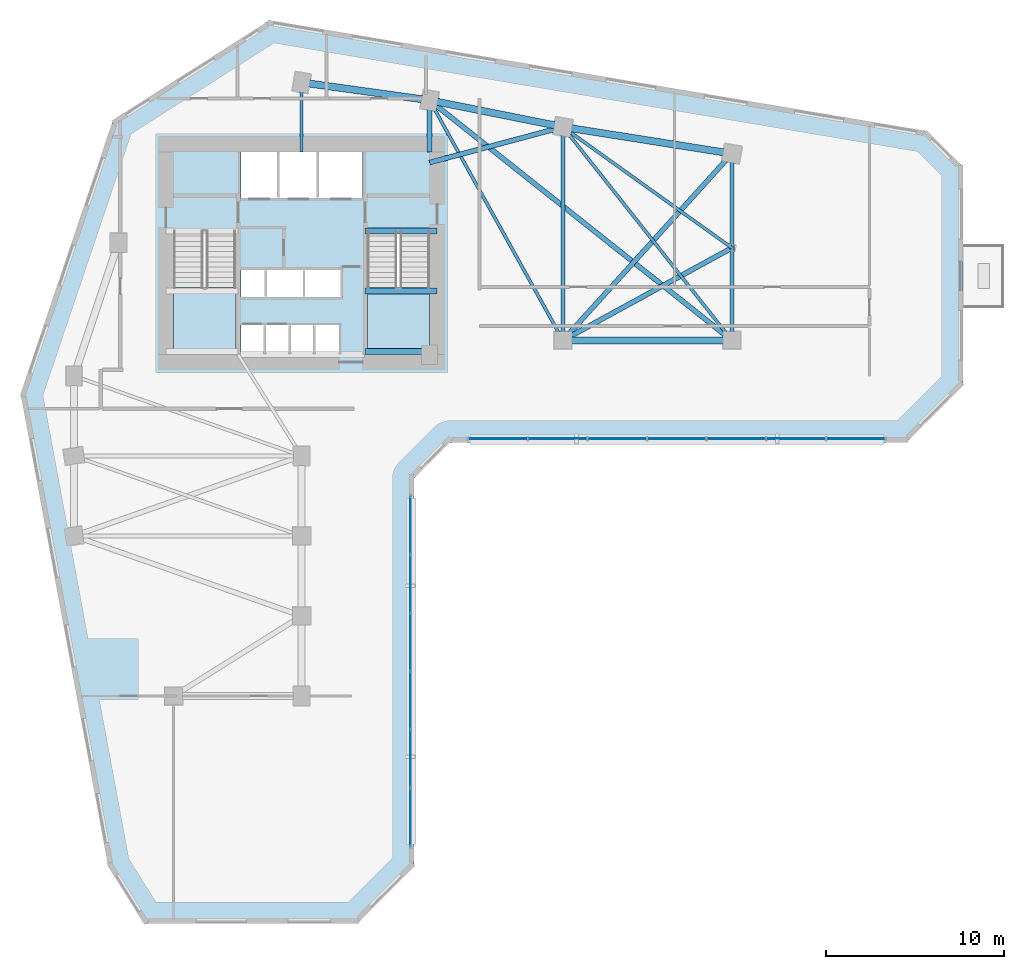
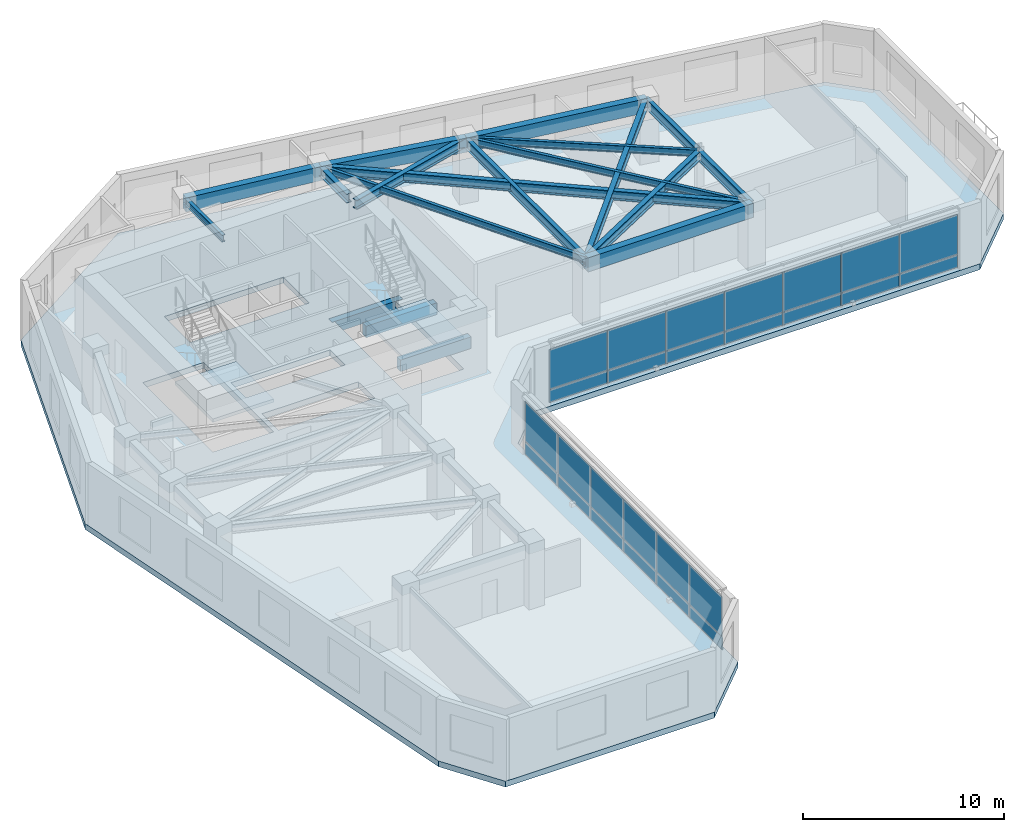
# One storey, part 4 of 11: 26 plates, 18 beams, 3 slabs, 4 elements without a shape of their own.
"""IFC4 building model written with IfcOpenShell, lengths in metres."""

from ifc_helpers import new_model, si_unit, direction, frame, frame_2d, origin, origin_2d, place, context, subcontext, project, spatial, polyline, rectangle, i_section, outline, extrude, source, transform, mapped, material, layer, layer_set, material_profile, profile_set, type_object, element, aggregate, save


model = new_model("IFC4")

# Units and contexts
model_context = context("Model", 3, precision=1e-05, world=origin(), true_north=direction((0.0, 1.0)))
body_context = subcontext(model_context, "Body", "Model", "MODEL_VIEW")
ifc_project = project(units=[si_unit("LENGTHUNIT", "METRE"), si_unit("AREAUNIT", "SQUARE_METRE"), si_unit("VOLUMEUNIT", "CUBIC_METRE"), si_unit("PLANEANGLEUNIT", "RADIAN"), si_unit("MASSUNIT", "GRAM", prefix="KILO")], contexts=[model_context])

# Site, building, storey
site_placement = place(None, origin())
site = spatial("IfcSite", under=ifc_project, at=site_placement, CompositionType="ELEMENT")
building_placement = place(site_placement, origin())
building = spatial("IfcBuilding", under=site, at=building_placement, Name="Calvemar Wedge Station Tower", CompositionType="ELEMENT")
storey_placement = place(building_placement, frame((0.0, 0.0, 27.0)))
storey = spatial("IfcBuildingStorey", under=building, at=storey_placement, Name="L06", CompositionType="ELEMENT", Elevation=27.0)

# Beams
ifc_material_1 = material(Name="Concrete C70", Category="concrete")
ifc_material_profile_1 = material_profile(ifc_material_1, rectangle(XDim=0.35009765625, YDim=0.699951171875, at=origin_2d()), Name="RC350x700")
ifc_profile_set_1 = profile_set([ifc_material_profile_1], Name="Concrete C70")
beam_type_1 = type_object("IfcBeamType", Name="BM-LN1-700", PredefinedType="LINTEL", material=ifc_profile_set_1)
shared_shape_1 = source(origin(), body_context, "Body", "SweptSolid", [
    extrude(rectangle(XDim=0.35009765625, YDim=0.699951171875, at=origin_2d()), origin(), (0.0, 0.0, 1.0), 4.054931640625),
])
for number, where, z_axis, x_axis, name in (
    (1, (27.3701171875, 41.14990234375, -0.35009765625), (1.0, 0.0, 0.0), (0.0, 1.0, 0.0), "Storey L06 Stair ST-C2 Landing Trimmer Beam"),
    (2, (27.3701171875, 34.3798828125, 1.449951171875), (1.0, 0.0, 0.0), (0.0, 1.0, 0.0), "Storey L06 Stair ST-C2 Half-Landing Beam 1A"),
    (3, (27.3701171875, 37.780029296875, 1.449951171875), (1.0, 0.0, 0.0), (0.0, 1.0, 0.0), "Storey L06 Stair ST-C2 Half-Landing Beam 1B"),
):
    element("IfcBeam", number, at=place(storey_placement, frame(where, z_axis=z_axis, x_axis=x_axis)), inside=storey, type_object=beam_type_1, Name=name, PredefinedType="LINTEL", context=body_context, shape_type="MappedRepresentation", body=[
        mapped(shared_shape_1, transform((0.0, 0.0, 0.0), scale=1.0)),
    ])
ifc_material_2 = material(Name="Concrete C60", Category="concrete")
ifc_material_profile_2 = material_profile(ifc_material_2, rectangle(XDim=0.39990234375, YDim=0.85009765625, at=origin_2d()), Name="RC400x850")
ifc_profile_set_2 = profile_set([ifc_material_profile_2], Name="Concrete C60")
beam_type_2 = type_object("IfcBeamType", Name="BM-SP1-850", PredefinedType="SPANDREL", material=ifc_profile_set_2)
shared_shape_2 = source(origin(), body_context, "Body", "SweptSolid", [
    extrude(rectangle(XDim=0.39990234375, YDim=0.85009765625, at=origin_2d()), origin(), (0.0, 0.0, 1.0), 7.26904296875),
])
beam_1_placement = place(storey_placement, frame((23.800048828125, 49.5, 3.324951171875), z_axis=(0.990492146053, -0.13756928657, 0.0), x_axis=(0.13756928657, 0.990492146053, 0.0)))
element("IfcBeam", 4, at=beam_1_placement, inside=storey, type_object=beam_type_2, Name="Storey L06 Spandrel T-N1-T-N2", PredefinedType="SPANDREL", context=body_context, shape_type="MappedRepresentation", body=[
    mapped(shared_shape_2, transform((0.0, 0.0, 0.0), scale=1.0)),
])
shared_shape_3 = source(origin(), body_context, "Body", "SweptSolid", [
    extrude(rectangle(XDim=0.39990234375, YDim=0.85009765625, at=origin_2d()), origin(), (0.0, 0.0, 1.0), 7.6484375),
])
beam_2_placement = place(storey_placement, frame((31.0, 48.5, 3.324951171875), z_axis=(0.980580675691, -0.196116135138, 0.0), x_axis=(0.196116135138, 0.980580675691, 0.0)))
element("IfcBeam", 5, at=beam_2_placement, inside=storey, type_object=beam_type_2, Name="Storey L06 Spandrel T-N2-T-NU3", PredefinedType="SPANDREL", context=body_context, shape_type="MappedRepresentation", body=[
    mapped(shared_shape_3, transform((0.0, 0.0, 0.0), scale=1.0)),
])
shared_shape_4 = source(origin(), body_context, "Body", "SweptSolid", [
    extrude(rectangle(XDim=0.39990234375, YDim=0.85009765625, at=origin_2d()), origin(), (0.0, 0.0, 1.0), 9.61767578125),
])
beam_3_placement = place(storey_placement, frame((38.5, 47.0, 3.324951171875), z_axis=(0.987762965329, -0.155962573473, 0.0), x_axis=(0.155962573473, 0.987762965329, 0.0)))
element("IfcBeam", 6, at=beam_3_placement, inside=storey, type_object=beam_type_2, Name="Storey L06 Spandrel T-NU3-T-NU4", PredefinedType="SPANDREL", context=body_context, shape_type="MappedRepresentation", body=[
    mapped(shared_shape_4, transform((0.0, 0.0, 0.0), scale=1.0)),
])
shared_shape_5 = source(origin(), body_context, "Body", "SweptSolid", [
    extrude(rectangle(XDim=0.39990234375, YDim=0.85009765625, at=origin_2d()), origin(), (0.0, 0.0, 1.0), 9.5),
])
beam_4_placement = place(storey_placement, frame((38.5, 35.0, 3.324951171875), z_axis=(1.0, 0.0, 0.0), x_axis=(0.0, 1.0, 0.0)))
element("IfcBeam", 7, at=beam_4_placement, inside=storey, type_object=beam_type_2, Name="Storey L06 Spandrel T-NL2-T-NL3", PredefinedType="SPANDREL", context=body_context, shape_type="MappedRepresentation", body=[
    mapped(shared_shape_5, transform((0.0, 0.0, 0.0), scale=1.0)),
])
ifc_material_3 = material(Name="Structural steel ASTM A572 Grade 50", Category="steel")
ifc_material_profile_3 = material_profile(ifc_material_3, i_section(OverallWidth=0.22998046875, OverallDepth=0.616943359375, WebThickness=0.01318359375, FlangeThickness=0.022216796875, FilletRadius=0.012939453125, at=origin_2d()), Name="W610x140")
ifc_profile_set_3 = profile_set([ifc_material_profile_3], Name="Structural steel ASTM A572 Grade 50")
beam_type_3 = type_object("IfcBeamType", Name="BM-SB2-W610", PredefinedType="BEAM", material=ifc_profile_set_3)
shared_shape_6 = source(origin(), body_context, "Body", "SweptSolid", [
    extrude(i_section(OverallWidth=0.22998046875, OverallDepth=0.616943359375, WebThickness=0.01318359375, FlangeThickness=0.022216796875, FilletRadius=0.012939453125, at=origin_2d()), origin(), (0.0, 0.0, 1.0), 12.0),
])
beam_5_placement = place(storey_placement, frame((38.5, 47.0, 3.44140625), z_axis=(0.0, -1.0, 0.0), x_axis=(1.0, 0.0, 0.0)))
element("IfcBeam", 8, at=beam_5_placement, inside=storey, type_object=beam_type_3, Name="Storey L06 Floor Beam T-NU3-T-NL2", PredefinedType="BEAM", context=body_context, shape_type="MappedRepresentation", body=[
    mapped(shared_shape_6, transform((0.0, 0.0, 0.0), scale=1.0)),
])
shared_shape_7 = source(origin(), body_context, "Body", "SweptSolid", [
    extrude(i_section(OverallWidth=0.22998046875, OverallDepth=0.616943359375, WebThickness=0.01318359375, FlangeThickness=0.022216796875, FilletRadius=0.012939453125, at=origin_2d()), origin(), (0.0, 0.0, 1.0), 10.5),
])
beam_6_placement = place(storey_placement, frame((48.0, 45.5, 3.44140625), z_axis=(0.0, -1.0, 0.0), x_axis=(1.0, 0.0, 0.0)))
element("IfcBeam", 9, at=beam_6_placement, inside=storey, type_object=beam_type_3, Name="Storey L06 Floor Beam T-NU4-T-NL3", PredefinedType="BEAM", context=body_context, shape_type="MappedRepresentation", body=[
    mapped(shared_shape_7, transform((0.0, 0.0, 0.0), scale=1.0)),
])
ifc_material_profile_4 = material_profile(ifc_material_3, i_section(OverallWidth=0.177978515625, OverallDepth=0.406982421875, WebThickness=0.0078125, FlangeThickness=0.0126953125, FilletRadius=0.010009765625, at=origin_2d()), Name="W410x60")
ifc_profile_set_4 = profile_set([ifc_material_profile_4], Name="Structural steel ASTM A572 Grade 50")
beam_type_4 = type_object("IfcBeamType", Name="BM-J3-W410", PredefinedType="JOIST", material=ifc_profile_set_4)
shared_shape_8 = source(origin(), body_context, "Body", "SweptSolid", [
    extrude(i_section(OverallWidth=0.177978515625, OverallDepth=0.406982421875, WebThickness=0.0078125, FlangeThickness=0.0126953125, FilletRadius=0.010009765625, at=origin_2d()), origin(), (0.0, 0.0, 1.0), 15.443359375),
])
beam_7_placement = place(storey_placement, frame((31.0, 48.5, 3.54638671875), z_axis=(0.485642931179, -0.874157276122, 0.0), x_axis=(0.874157276122, 0.485642931179, 0.0)))
element("IfcBeam", 10, at=beam_7_placement, inside=storey, type_object=beam_type_4, Name="Storey L06 Floor Beam T-N2-T-NL2", PredefinedType="JOIST", context=body_context, shape_type="MappedRepresentation", body=[
    mapped(shared_shape_8, transform((0.0, 0.0, 0.0), scale=1.0)),
])
ifc_material_profile_5 = material_profile(ifc_material_3, i_section(OverallWidth=0.279052734375, OverallDepth=0.553955078125, WebThickness=0.017578125, FlangeThickness=0.029541015625, FilletRadius=0.014892578125, at=origin_2d()), Name="W530x196")
ifc_profile_set_5 = profile_set([ifc_material_profile_5], Name="Structural steel ASTM A572 Grade 50")
beam_type_5 = type_object("IfcBeamType", Name="BM-SB3-W530H", PredefinedType="BEAM", material=ifc_profile_set_5)
shared_shape_9 = source(origin(), body_context, "Body", "SweptSolid", [
    extrude(i_section(OverallWidth=0.279052734375, OverallDepth=0.553955078125, WebThickness=0.017578125, FlangeThickness=0.029541015625, FilletRadius=0.014892578125, at=origin_2d()), origin(), (0.0, 0.0, 1.0), 21.708251953125),
])
beam_8_placement = place(storey_placement, frame((31.0, 48.5, 3.472900390625), z_axis=(0.783110847498, -0.621882143602, 0.0), x_axis=(0.621882143602, 0.783110847498, 0.0)))
element("IfcBeam", 11, at=beam_8_placement, inside=storey, type_object=beam_type_5, Name="Storey L06 Floor Beam T-N2-T-NL3", PredefinedType="BEAM", context=body_context, shape_type="MappedRepresentation", body=[
    mapped(shared_shape_9, transform((0.0, 0.0, 0.0), scale=1.0)),
])
shared_shape_10 = source(origin(), body_context, "Body", "SweptSolid", [
    extrude(i_section(OverallWidth=0.177978515625, OverallDepth=0.406982421875, WebThickness=0.0078125, FlangeThickness=0.0126953125, FilletRadius=0.010009765625, at=origin_2d()), origin(), (0.0, 0.0, 1.0), 15.30517578125),
])
beam_9_placement = place(storey_placement, frame((38.5, 47.0, 3.54638671875), z_axis=(0.620702944366, -0.784045824462, 0.0), x_axis=(0.784045824462, 0.620702944366, 0.0)))
element("IfcBeam", 12, at=beam_9_placement, inside=storey, type_object=beam_type_4, Name="Storey L06 Floor Beam T-NU3-T-NL3", PredefinedType="JOIST", context=body_context, shape_type="MappedRepresentation", body=[
    mapped(shared_shape_10, transform((0.0, 0.0, 0.0), scale=1.0)),
])
shared_shape_11 = source(origin(), body_context, "Body", "SweptSolid", [
    extrude(i_section(OverallWidth=0.279052734375, OverallDepth=0.553955078125, WebThickness=0.017578125, FlangeThickness=0.029541015625, FilletRadius=0.014892578125, at=origin_2d()), origin(), (0.0, 0.0, 1.0), 14.159912109375),
])
beam_10_placement = place(storey_placement, frame((38.5, 35.0, 3.472900390625), z_axis=(0.670913323969, 0.741535779124, 0.0), x_axis=(-0.741535779124, 0.670913323969, 0.0)))
element("IfcBeam", 13, at=beam_10_placement, inside=storey, type_object=beam_type_5, Name="Storey L06 Floor Beam T-NL2-T-NU4", PredefinedType="BEAM", context=body_context, shape_type="MappedRepresentation", body=[
    mapped(shared_shape_11, transform((0.0, 0.0, 0.0), scale=1.0)),
])
shared_shape_12 = source(origin(), body_context, "Body", "SweptSolid", [
    extrude(i_section(OverallWidth=0.177978515625, OverallDepth=0.406982421875, WebThickness=0.0078125, FlangeThickness=0.0126953125, FilletRadius=0.010009765625, at=origin_2d()), origin(), (0.0, 0.0, 1.0), 11.682861328125),
])
beam_11_placement = place(storey_placement, frame((48.0, 40.199951171875, 3.54638671875), z_axis=(-0.81315274409, 0.582050354161, 0.0), x_axis=(-0.582050354161, -0.81315274409, 0.0)))
element("IfcBeam", 14, at=beam_11_placement, inside=storey, type_object=beam_type_4, Name="Storey L06 Floor Beam T-NTIP-A-T-NU3", PredefinedType="JOIST", context=body_context, shape_type="MappedRepresentation", body=[
    mapped(shared_shape_12, transform((0.0, 0.0, 0.0), scale=1.0)),
])
shared_shape_13 = source(origin(), body_context, "Body", "SweptSolid", [
    extrude(i_section(OverallWidth=0.279052734375, OverallDepth=0.553955078125, WebThickness=0.017578125, FlangeThickness=0.029541015625, FilletRadius=0.014892578125, at=origin_2d()), origin(), (0.0, 0.0, 1.0), 10.830078125),
])
beam_12_placement = place(storey_placement, frame((48.0, 40.199951171875, 3.472900390625), z_axis=(-0.877190767997, -0.480142017053, 0.0), x_axis=(0.480142017053, -0.877190767997, 0.0)))
element("IfcBeam", 15, at=beam_12_placement, inside=storey, type_object=beam_type_5, Name="Storey L06 Floor Beam T-NTIP-A-T-NL2", PredefinedType="BEAM", context=body_context, shape_type="MappedRepresentation", body=[
    mapped(shared_shape_13, transform((0.0, 0.0, 0.0), scale=1.0)),
])
shared_shape_14 = source(origin(), body_context, "Body", "SweptSolid", [
    extrude(i_section(OverallWidth=0.279052734375, OverallDepth=0.553955078125, WebThickness=0.017578125, FlangeThickness=0.029541015625, FilletRadius=0.014892578125, at=origin_2d()), origin(), (0.0, 0.0, 1.0), 7.76220703125),
])
beam_13_placement = place(storey_placement, frame((31.0, 45.0, 3.472900390625), z_axis=(0.966234939601, 0.25766265056, 0.0), x_axis=(-0.25766265056, 0.966234939601, 0.0)))
element("IfcBeam", 16, at=beam_13_placement, inside=storey, type_object=beam_type_5, Name="Storey L06 Core-to-Column Joist CJ-E2", PredefinedType="BEAM", context=body_context, shape_type="MappedRepresentation", body=[
    mapped(shared_shape_14, transform((0.0, 0.0, 0.0), scale=1.0)),
])
shared_shape_15 = source(origin(), body_context, "Body", "SweptSolid", [
    extrude(i_section(OverallWidth=0.177978515625, OverallDepth=0.406982421875, WebThickness=0.0078125, FlangeThickness=0.0126953125, FilletRadius=0.010009765625, at=origin_2d()), origin(), (0.0, 0.0, 1.0), 3.89990234375),
])
beam_14_placement = place(storey_placement, frame((23.800048828125, 45.60009765625, 3.54638671875), z_axis=(0.0, 1.0, 0.0), x_axis=(-1.0, 0.0, 0.0)))
element("IfcBeam", 17, at=beam_14_placement, inside=storey, type_object=beam_type_4, Name="Storey L06 Core-to-Column Joist CJ-N1", PredefinedType="JOIST", context=body_context, shape_type="MappedRepresentation", body=[
    mapped(shared_shape_15, transform((0.0, 0.0, 0.0), scale=1.0)),
])
shared_shape_16 = source(origin(), body_context, "Body", "SweptSolid", [
    extrude(i_section(OverallWidth=0.279052734375, OverallDepth=0.553955078125, WebThickness=0.017578125, FlangeThickness=0.029541015625, FilletRadius=0.014892578125, at=origin_2d()), origin(), (0.0, 0.0, 1.0), 2.89990234375),
])
beam_15_placement = place(storey_placement, frame((31.0, 45.60009765625, 3.472900390625), z_axis=(0.0, 1.0, 0.0), x_axis=(-1.0, 0.0, 0.0)))
element("IfcBeam", 18, at=beam_15_placement, inside=storey, type_object=beam_type_5, Name="Storey L06 Core-to-Column Joist CJ-N2", PredefinedType="BEAM", context=body_context, shape_type="MappedRepresentation", body=[
    mapped(shared_shape_16, transform((0.0, 0.0, 0.0), scale=1.0)),
])

# Curtain wall, plates
ifc_material_4 = material(Name="Anodised aluminium 6063-T6", Category="aluminium")
curtain_wall_type = type_object("IfcCurtainWallType", Name="CW1", PredefinedType="NOTDEFINED", material=ifc_material_4)
curtain_wall_1_placement = place(storey_placement, origin())
curtain_wall_1 = element("IfcCurtainWall", 19, at=curtain_wall_1_placement, inside=storey, type_object=curtain_wall_type, Name="Storey L06 CW1 Recessed Unitised Curtain Wall 4", PredefinedType="NOTDEFINED")
ifc_material_5 = material(Name="Low-E laminated insulated glass", Category="glass")
ifc_layer_1 = layer(ifc_material_5, 0.028076171875)
ifc_layer_set_1 = layer_set([ifc_layer_1], Name="Low-E laminated insulated glass")
plate_type_1 = type_object("IfcPlateType", Name="CW1-GLZ", PredefinedType="CURTAIN_PANEL", material=ifc_layer_set_1)
plate_1_placement = place(storey_placement, frame((29.91796875, 6.580078125, 0.8701171875), z_axis=(0.0, 0.0, 1.0), x_axis=(0.0, 1.0, 0.0)))
plate_1 = element("IfcPlate", 20, at=plate_1_placement, type_object=plate_type_1, Name="CW1 vision glass panel 1", PredefinedType="CURTAIN_PANEL", context=body_context, shape_type="SweptSolid", body=[
    extrude(rectangle(XDim=3.24072265625, YDim=0.028076171875, at=frame_2d((1.620361328125, 0.0))), origin(), (0.0, 0.0, 1.0), 2.409912109375),
])
plate_2_placement = place(storey_placement, frame((29.91796875, 9.856689453125, 0.8701171875), z_axis=(0.0, 0.0, 1.0), x_axis=(0.0, 1.0, 0.0)))
plate_2 = element("IfcPlate", 21, at=plate_2_placement, type_object=plate_type_1, Name="CW1 vision glass panel 2", PredefinedType="CURTAIN_PANEL", context=body_context, shape_type="SweptSolid", body=[
    extrude(rectangle(XDim=3.24072265625, YDim=0.028076171875, at=frame_2d((1.620361328125, 0.0))), origin(), (0.0, 0.0, 1.0), 2.409912109375),
])
plate_3_placement = place(storey_placement, frame((29.91796875, 13.13330078125, 0.8701171875), z_axis=(0.0, 0.0, 1.0), x_axis=(0.0, 1.0, 0.0)))
plate_3 = element("IfcPlate", 22, at=plate_3_placement, type_object=plate_type_1, Name="CW1 vision glass panel 3", PredefinedType="CURTAIN_PANEL", context=body_context, shape_type="SweptSolid", body=[
    extrude(rectangle(XDim=3.24072265625, YDim=0.028076171875, at=frame_2d((1.620361328125, 0.0))), origin(), (0.0, 0.0, 1.0), 2.409912109375),
])
plate_4_placement = place(storey_placement, frame((29.91796875, 16.41015625, 0.8701171875), z_axis=(0.0, 0.0, 1.0), x_axis=(0.0, 1.0, 0.0)))
plate_4 = element("IfcPlate", 23, at=plate_4_placement, type_object=plate_type_1, Name="CW1 vision glass panel 4", PredefinedType="CURTAIN_PANEL", context=body_context, shape_type="SweptSolid", body=[
    extrude(rectangle(XDim=3.24072265625, YDim=0.028076171875, at=frame_2d((1.620361328125, 0.0))), origin(), (0.0, 0.0, 1.0), 2.409912109375),
])
plate_5_placement = place(storey_placement, frame((29.91796875, 19.686767578125, 0.8701171875), z_axis=(0.0, 0.0, 1.0), x_axis=(0.0, 1.0, 0.0)))
plate_5 = element("IfcPlate", 24, at=plate_5_placement, type_object=plate_type_1, Name="CW1 vision glass panel 5", PredefinedType="CURTAIN_PANEL", context=body_context, shape_type="SweptSolid", body=[
    extrude(rectangle(XDim=3.24072265625, YDim=0.028076171875, at=frame_2d((1.620361328125, 0.0))), origin(), (0.0, 0.0, 1.0), 2.409912109375),
])
plate_6_placement = place(storey_placement, frame((29.91796875, 22.96337890625, 0.8701171875), z_axis=(0.0, 0.0, 1.0), x_axis=(0.0, 1.0, 0.0)))
plate_6 = element("IfcPlate", 25, at=plate_6_placement, type_object=plate_type_1, Name="CW1 vision glass panel 6", PredefinedType="CURTAIN_PANEL", context=body_context, shape_type="SweptSolid", body=[
    extrude(rectangle(XDim=3.24072265625, YDim=0.028076171875, at=frame_2d((1.620361328125, 0.0))), origin(), (0.0, 0.0, 1.0), 2.409912109375),
])

curtain_wall_2_placement = place(storey_placement, origin())
curtain_wall_2 = element("IfcCurtainWall", 26, at=curtain_wall_2_placement, inside=storey, type_object=curtain_wall_type, Name="Storey L06 CW1 Recessed Unitised Curtain Wall 6", PredefinedType="NOTDEFINED")
plate_7_placement = place(storey_placement, frame((33.183837890625, 29.469970703125, 0.8701171875), z_axis=(0.0, 0.0, 1.0), x_axis=(1.0, 0.0, 0.0)))
plate_7 = element("IfcPlate", 27, at=plate_7_placement, type_object=plate_type_1, Name="CW1 vision glass panel 1", PredefinedType="CURTAIN_PANEL", context=body_context, shape_type="SweptSolid", body=[
    extrude(rectangle(XDim=3.317138671875, YDim=0.028076171875, at=frame_2d((1.65869140625, 0.0))), origin(), (0.0, 0.0, 1.0), 2.409912109375),
])
plate_8_placement = place(storey_placement, frame((36.537109375, 29.469970703125, 0.8701171875), z_axis=(0.0, 0.0, 1.0), x_axis=(1.0, 0.0, 0.0)))
plate_8 = element("IfcPlate", 28, at=plate_8_placement, type_object=plate_type_1, Name="CW1 vision glass panel 2", PredefinedType="CURTAIN_PANEL", context=body_context, shape_type="SweptSolid", body=[
    extrude(rectangle(XDim=3.317138671875, YDim=0.028076171875, at=frame_2d((1.65869140625, 0.0))), origin(), (0.0, 0.0, 1.0), 2.409912109375),
])
plate_9_placement = place(storey_placement, frame((39.89013671875, 29.469970703125, 0.8701171875), z_axis=(0.0, 0.0, 1.0), x_axis=(1.0, 0.0, 0.0)))
plate_9 = element("IfcPlate", 29, at=plate_9_placement, type_object=plate_type_1, Name="CW1 vision glass panel 3", PredefinedType="CURTAIN_PANEL", context=body_context, shape_type="SweptSolid", body=[
    extrude(rectangle(XDim=3.317138671875, YDim=0.028076171875, at=frame_2d((1.65869140625, 0.0))), origin(), (0.0, 0.0, 1.0), 2.409912109375),
])
plate_10_placement = place(storey_placement, frame((43.243408203125, 29.469970703125, 0.8701171875), z_axis=(0.0, 0.0, 1.0), x_axis=(1.0, 0.0, 0.0)))
plate_10 = element("IfcPlate", 30, at=plate_10_placement, type_object=plate_type_1, Name="CW1 vision glass panel 4", PredefinedType="CURTAIN_PANEL", context=body_context, shape_type="SweptSolid", body=[
    extrude(rectangle(XDim=3.317138671875, YDim=0.028076171875, at=frame_2d((1.65869140625, 0.0))), origin(), (0.0, 0.0, 1.0), 2.409912109375),
])
plate_11_placement = place(storey_placement, frame((46.596435546875, 29.469970703125, 0.8701171875), z_axis=(0.0, 0.0, 1.0), x_axis=(1.0, 0.0, 0.0)))
plate_11 = element("IfcPlate", 31, at=plate_11_placement, type_object=plate_type_1, Name="CW1 vision glass panel 5", PredefinedType="CURTAIN_PANEL", context=body_context, shape_type="SweptSolid", body=[
    extrude(rectangle(XDim=3.317138671875, YDim=0.028076171875, at=frame_2d((1.65869140625, 0.0))), origin(), (0.0, 0.0, 1.0), 2.409912109375),
])
plate_12_placement = place(storey_placement, frame((49.94970703125, 29.469970703125, 0.8701171875), z_axis=(0.0, 0.0, 1.0), x_axis=(1.0, 0.0, 0.0)))
plate_12 = element("IfcPlate", 32, at=plate_12_placement, type_object=plate_type_1, Name="CW1 vision glass panel 6", PredefinedType="CURTAIN_PANEL", context=body_context, shape_type="SweptSolid", body=[
    extrude(rectangle(XDim=3.317138671875, YDim=0.028076171875, at=frame_2d((1.65869140625, 0.0))), origin(), (0.0, 0.0, 1.0), 2.409912109375),
])
plate_13_placement = place(storey_placement, frame((53.302734375, 29.469970703125, 0.8701171875), z_axis=(0.0, 0.0, 1.0), x_axis=(1.0, 0.0, 0.0)))
plate_13 = element("IfcPlate", 33, at=plate_13_placement, type_object=plate_type_1, Name="CW1 vision glass panel 7", PredefinedType="CURTAIN_PANEL", context=body_context, shape_type="SweptSolid", body=[
    extrude(rectangle(XDim=3.317138671875, YDim=0.028076171875, at=frame_2d((1.65869140625, 0.0))), origin(), (0.0, 0.0, 1.0), 2.409912109375),
])

# Plate
ifc_material_6 = material(Name="Oxidized bronze aluminium spandrel panel 5005-H24", Category="aluminium")
ifc_layer_2 = layer(ifc_material_6, 0.0400390625)
ifc_layer_set_2 = layer_set([ifc_layer_2], Name="Oxidized bronze aluminium spandrel panel 5005-H24")
plate_type_2 = type_object("IfcPlateType", Name="CW1-SPD", PredefinedType="SHEET", material=ifc_layer_set_2)
plate_14_placement = place(storey_placement, frame((29.91796875, 6.580078125, 0.080078125), z_axis=(0.0, 0.0, 1.0), x_axis=(0.0, 1.0, 0.0)))
plate_14 = element("IfcPlate", 34, at=plate_14_placement, type_object=plate_type_2, Name="CW1 bronze spandrel panel 1", PredefinedType="SHEET", context=body_context, shape_type="SweptSolid", body=[
    extrude(rectangle(XDim=3.24072265625, YDim=0.0400390625, at=frame_2d((1.620361328125, 0.0))), origin(), (0.0, 0.0, 1.0), 0.75),
])

plate_15_placement = place(storey_placement, frame((29.91796875, 9.856689453125, 0.080078125), z_axis=(0.0, 0.0, 1.0), x_axis=(0.0, 1.0, 0.0)))
plate_15 = element("IfcPlate", 35, at=plate_15_placement, type_object=plate_type_2, Name="CW1 bronze spandrel panel 2", PredefinedType="SHEET", context=body_context, shape_type="SweptSolid", body=[
    extrude(rectangle(XDim=3.24072265625, YDim=0.0400390625, at=frame_2d((1.620361328125, 0.0))), origin(), (0.0, 0.0, 1.0), 0.75),
])

plate_16_placement = place(storey_placement, frame((29.91796875, 13.13330078125, 0.080078125), z_axis=(0.0, 0.0, 1.0), x_axis=(0.0, 1.0, 0.0)))
plate_16 = element("IfcPlate", 36, at=plate_16_placement, type_object=plate_type_2, Name="CW1 bronze spandrel panel 3", PredefinedType="SHEET", context=body_context, shape_type="SweptSolid", body=[
    extrude(rectangle(XDim=3.24072265625, YDim=0.0400390625, at=frame_2d((1.620361328125, 0.0))), origin(), (0.0, 0.0, 1.0), 0.75),
])

plate_17_placement = place(storey_placement, frame((29.91796875, 16.41015625, 0.080078125), z_axis=(0.0, 0.0, 1.0), x_axis=(0.0, 1.0, 0.0)))
plate_17 = element("IfcPlate", 37, at=plate_17_placement, type_object=plate_type_2, Name="CW1 bronze spandrel panel 4", PredefinedType="SHEET", context=body_context, shape_type="SweptSolid", body=[
    extrude(rectangle(XDim=3.24072265625, YDim=0.0400390625, at=frame_2d((1.620361328125, 0.0))), origin(), (0.0, 0.0, 1.0), 0.75),
])

plate_18_placement = place(storey_placement, frame((29.91796875, 19.686767578125, 0.080078125), z_axis=(0.0, 0.0, 1.0), x_axis=(0.0, 1.0, 0.0)))
plate_18 = element("IfcPlate", 38, at=plate_18_placement, type_object=plate_type_2, Name="CW1 bronze spandrel panel 5", PredefinedType="SHEET", context=body_context, shape_type="SweptSolid", body=[
    extrude(rectangle(XDim=3.24072265625, YDim=0.0400390625, at=frame_2d((1.620361328125, 0.0))), origin(), (0.0, 0.0, 1.0), 0.75),
])

plate_19_placement = place(storey_placement, frame((29.91796875, 22.96337890625, 0.080078125), z_axis=(0.0, 0.0, 1.0), x_axis=(0.0, 1.0, 0.0)))
plate_19 = element("IfcPlate", 39, at=plate_19_placement, type_object=plate_type_2, Name="CW1 bronze spandrel panel 6", PredefinedType="SHEET", context=body_context, shape_type="SweptSolid", body=[
    extrude(rectangle(XDim=3.24072265625, YDim=0.0400390625, at=frame_2d((1.620361328125, 0.0))), origin(), (0.0, 0.0, 1.0), 0.75),
])

aggregate(curtain_wall_1, [plate_14, plate_1, plate_15, plate_2, plate_16, plate_3, plate_17, plate_4, plate_18, plate_5, plate_19, plate_6])

plate_20_placement = place(storey_placement, frame((33.183837890625, 29.469970703125, 0.080078125), z_axis=(0.0, 0.0, 1.0), x_axis=(1.0, 0.0, 0.0)))
plate_20 = element("IfcPlate", 40, at=plate_20_placement, type_object=plate_type_2, Name="CW1 bronze spandrel panel 1", PredefinedType="SHEET", context=body_context, shape_type="SweptSolid", body=[
    extrude(rectangle(XDim=3.317138671875, YDim=0.0400390625, at=frame_2d((1.65869140625, 0.0))), origin(), (0.0, 0.0, 1.0), 0.75),
])

plate_21_placement = place(storey_placement, frame((36.537109375, 29.469970703125, 0.080078125), z_axis=(0.0, 0.0, 1.0), x_axis=(1.0, 0.0, 0.0)))
plate_21 = element("IfcPlate", 41, at=plate_21_placement, type_object=plate_type_2, Name="CW1 bronze spandrel panel 2", PredefinedType="SHEET", context=body_context, shape_type="SweptSolid", body=[
    extrude(rectangle(XDim=3.317138671875, YDim=0.0400390625, at=frame_2d((1.65869140625, 0.0))), origin(), (0.0, 0.0, 1.0), 0.75),
])

plate_22_placement = place(storey_placement, frame((39.89013671875, 29.469970703125, 0.080078125), z_axis=(0.0, 0.0, 1.0), x_axis=(1.0, 0.0, 0.0)))
plate_22 = element("IfcPlate", 42, at=plate_22_placement, type_object=plate_type_2, Name="CW1 bronze spandrel panel 3", PredefinedType="SHEET", context=body_context, shape_type="SweptSolid", body=[
    extrude(rectangle(XDim=3.317138671875, YDim=0.0400390625, at=frame_2d((1.65869140625, 0.0))), origin(), (0.0, 0.0, 1.0), 0.75),
])

plate_23_placement = place(storey_placement, frame((43.243408203125, 29.469970703125, 0.080078125), z_axis=(0.0, 0.0, 1.0), x_axis=(1.0, 0.0, 0.0)))
plate_23 = element("IfcPlate", 43, at=plate_23_placement, type_object=plate_type_2, Name="CW1 bronze spandrel panel 4", PredefinedType="SHEET", context=body_context, shape_type="SweptSolid", body=[
    extrude(rectangle(XDim=3.317138671875, YDim=0.0400390625, at=frame_2d((1.65869140625, 0.0))), origin(), (0.0, 0.0, 1.0), 0.75),
])

plate_24_placement = place(storey_placement, frame((46.596435546875, 29.469970703125, 0.080078125), z_axis=(0.0, 0.0, 1.0), x_axis=(1.0, 0.0, 0.0)))
plate_24 = element("IfcPlate", 44, at=plate_24_placement, type_object=plate_type_2, Name="CW1 bronze spandrel panel 5", PredefinedType="SHEET", context=body_context, shape_type="SweptSolid", body=[
    extrude(rectangle(XDim=3.317138671875, YDim=0.0400390625, at=frame_2d((1.65869140625, 0.0))), origin(), (0.0, 0.0, 1.0), 0.75),
])

plate_25_placement = place(storey_placement, frame((49.94970703125, 29.469970703125, 0.080078125), z_axis=(0.0, 0.0, 1.0), x_axis=(1.0, 0.0, 0.0)))
plate_25 = element("IfcPlate", 45, at=plate_25_placement, type_object=plate_type_2, Name="CW1 bronze spandrel panel 6", PredefinedType="SHEET", context=body_context, shape_type="SweptSolid", body=[
    extrude(rectangle(XDim=3.317138671875, YDim=0.0400390625, at=frame_2d((1.65869140625, 0.0))), origin(), (0.0, 0.0, 1.0), 0.75),
])

plate_26_placement = place(storey_placement, frame((53.302734375, 29.469970703125, 0.080078125), z_axis=(0.0, 0.0, 1.0), x_axis=(1.0, 0.0, 0.0)))
plate_26 = element("IfcPlate", 46, at=plate_26_placement, type_object=plate_type_2, Name="CW1 bronze spandrel panel 7", PredefinedType="SHEET", context=body_context, shape_type="SweptSolid", body=[
    extrude(rectangle(XDim=3.317138671875, YDim=0.0400390625, at=frame_2d((1.65869140625, 0.0))), origin(), (0.0, 0.0, 1.0), 0.75),
])

aggregate(curtain_wall_2, [plate_20, plate_7, plate_21, plate_8, plate_22, plate_9, plate_23, plate_10, plate_24, plate_11, plate_25, plate_12, plate_26, plate_13])

# Stair, slab
ifc_material_7 = material(Name="Concrete C45", Category="concrete")
stair_type = type_object("IfcStairType", Name="ST-TYPE-4000", PredefinedType="HALF_TURN_STAIR", material=ifc_material_7)
stair_1_placement = place(storey_placement, origin())
stair_1 = element("IfcStair", 47, at=stair_1_placement, inside=storey, type_object=stair_type, Name="L06 Pressurized Core Exit Stair ST-C1", PredefinedType="HALF_TURN_STAIR")
ifc_layer_3 = layer(ifc_material_7, 0.199951171875)
ifc_layer_set_3 = layer_set([ifc_layer_3], Name="Concrete C45")
slab_type_1 = type_object("IfcSlabType", Name="SL-STAIR-LND-200", PredefinedType="LANDING", material=ifc_layer_set_3)
slab_1_placement = place(storey_placement, frame((0.0, 0.0, 1.800048828125)))
slab_1 = element("IfcSlab", 48, at=slab_1_placement, type_object=slab_type_1, Name="ST-C1 landing 1", PredefinedType="LANDING", context=body_context, shape_type="SweptSolid", body=[
    extrude(outline(polyline([(16.60009765625, 37.9599609375), (16.60009765625, 34.199951171875), (20.10009765625, 34.199951171875), (20.10009765625, 37.9599609375), (16.60009765625, 37.9599609375)])), origin(), (0.0, 0.0, 1.0), 0.199951171875),
])
aggregate(stair_1, [slab_1])

stair_2_placement = place(storey_placement, origin())
stair_2 = element("IfcStair", 49, at=stair_2_placement, inside=storey, type_object=stair_type, Name="L06 Pressurized Core Exit Stair ST-C2", PredefinedType="HALF_TURN_STAIR")
slab_2_placement = place(storey_placement, frame((0.0, 0.0, 1.800048828125)))
slab_2 = element("IfcSlab", 50, at=slab_2_placement, type_object=slab_type_1, Name="ST-C2 landing 1", PredefinedType="LANDING", context=body_context, shape_type="SweptSolid", body=[
    extrude(outline(polyline([(27.5, 37.9599609375), (27.5, 34.199951171875), (31.0, 34.199951171875), (31.0, 37.9599609375), (27.5, 37.9599609375)])), origin(), (0.0, 0.0, 1.0), 0.199951171875),
])
aggregate(stair_2, [slab_2])

# Slab
ifc_layer_4 = layer(ifc_material_2, 0.35009765625)
ifc_layer_set_4 = layer_set([ifc_layer_4], Name="Concrete C60")
slab_type_2 = type_object("IfcSlabType", Name="SL-TRF-350", PredefinedType="FLOOR", material=ifc_layer_set_4)
slab_3_placement = place(storey_placement, frame((0.0, 0.0, -0.35009765625)))
element("IfcSlab", 51, at=slab_3_placement, inside=storey, type_object=slab_type_2, Name="Storey L06 Structural Floor Slab", PredefinedType="FLOOR", context=body_context, shape_type="SweptSolid", body=[
    extrude(outline(polyline([(8.0, 32.0), (12.927978515625, 5.39990234375), (14.927978515625, 2.199951171875), (26.927978515625, 2.199951171875), (30.1279296875, 5.39990234375), (30.1279296875, 27.260009765625), (32.1279296875, 29.260009765625), (57.800048828125, 29.260009765625), (61.0, 32.4599609375), (61.0, 44.760009765625), (59.0, 46.760009765625), (22.0, 53.0), (13.199951171875, 47.39990234375), (8.0, 32.0)]), holes=[polyline([(21.739990234375, 35.85009765625), (21.72998046875, 35.85009765625), (20.3798828125, 35.85009765625), (20.3798828125, 34.219970703125), (21.72998046875, 34.219970703125), (21.739990234375, 34.219970703125), (23.1201171875, 34.219970703125), (23.1298828125, 34.219970703125), (24.510009765625, 34.219970703125), (24.52001953125, 34.219970703125), (25.909912109375, 34.219970703125), (25.909912109375, 35.85009765625), (24.52001953125, 35.85009765625), (24.510009765625, 35.85009765625), (23.1298828125, 35.85009765625), (23.1201171875, 35.85009765625), (21.739990234375, 35.85009765625)]), polyline([(16.60009765625, 41.14990234375), (16.60009765625, 34.199951171875), (20.10009765625, 34.199951171875), (20.10009765625, 41.14990234375), (16.60009765625, 41.14990234375)]), polyline([(27.5, 34.199951171875), (31.0, 34.199951171875), (31.0, 41.14990234375), (27.5, 41.14990234375), (27.5, 34.199951171875)]), polyline([(21.7900390625, 37.449951171875), (21.800048828125, 37.449951171875), (23.929931640625, 37.449951171875), (23.93994140625, 37.449951171875), (26.080078125, 37.449951171875), (26.080078125, 38.949951171875), (23.93994140625, 38.949951171875), (23.929931640625, 38.949951171875), (21.800048828125, 38.949951171875), (21.7900390625, 38.949951171875), (20.3798828125, 38.949951171875), (20.3798828125, 37.449951171875), (21.7900390625, 37.449951171875)]), polyline([(20.3798828125, 43.0), (27.219970703125, 43.0), (27.219970703125, 45.580078125), (20.3798828125, 45.580078125), (20.3798828125, 43.0)])]), origin(), (0.0, 0.0, 1.0), 0.35009765625),
])

save(model, "model.ifc")
